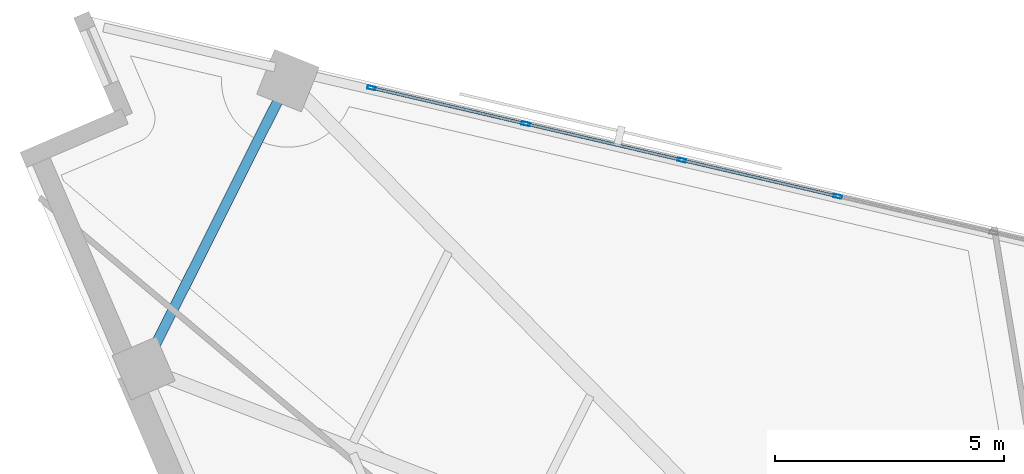
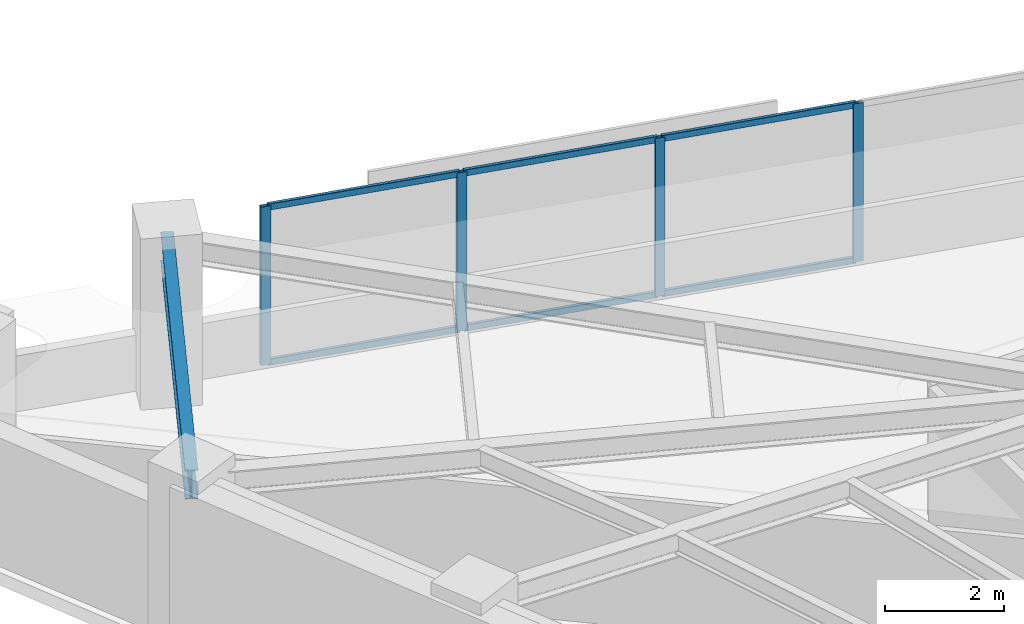
# One storey, part 6 of 14: 10 members, 1 beam, 1 element without a shape of its own.
"""IFC4 building model written with IfcOpenShell, lengths in metres."""

from ifc_helpers import new_model, si_unit, direction, frame, origin, origin_2d, place, context, subcontext, project, spatial, hollow_rectangle, i_section, extrude, material, material_profile, profile_set, type_object, element, aggregate, save


model = new_model("IFC4")

# Units and contexts
model_context = context("Model", 3, precision=1e-05, world=origin(), true_north=direction((0.0, 1.0)))
body_context = subcontext(model_context, "Body", "Model", "MODEL_VIEW")
ifc_project = project(units=[si_unit("LENGTHUNIT", "METRE"), si_unit("AREAUNIT", "SQUARE_METRE"), si_unit("VOLUMEUNIT", "CUBIC_METRE"), si_unit("PLANEANGLEUNIT", "RADIAN"), si_unit("MASSUNIT", "GRAM", prefix="KILO")], contexts=[model_context])

# Site, building, storey
site_placement = place(None, origin())
site = spatial("IfcSite", under=ifc_project, at=site_placement, CompositionType="ELEMENT")
building_placement = place(site_placement, origin())
building = spatial("IfcBuilding", under=site, at=building_placement, Name="Narakoshi Arena Tower", CompositionType="ELEMENT")
storey_placement = place(building_placement, frame((0.0, 0.0, 182.6201171875)))
storey = spatial("IfcBuildingStorey", under=building, at=storey_placement, Name="L49", CompositionType="ELEMENT", Elevation=182.6201171875)

# Beam
ifc_material_1 = material(Name="Structural steel S355J2", Category="steel")
ifc_material_profile_1 = material_profile(ifc_material_1, i_section(OverallWidth=0.219970703125, OverallDepth=0.60009765625, WebThickness=0.011962890625, FlangeThickness=0.01904296875, FilletRadius=0.02392578125, at=origin_2d()), Name="IPE600")
ifc_profile_set_1 = profile_set([ifc_material_profile_1], Name="Structural steel S355J2")
beam_type = type_object("IfcBeamType", Name="BM-EDGE-600", PredefinedType="BEAM", material=ifc_profile_set_1)
beam_placement = place(storey_placement, frame((60.12158203125, 68.55126953125, 2.9599609375), z_axis=(-0.448312643015, -0.893876822674, 0.0), x_axis=(0.893876822674, -0.448312643015, 0.0)))
element("IfcBeam", 1, at=beam_placement, inside=storey, type_object=beam_type, Name="L49 Perimeter Edge Girder 07", PredefinedType="BEAM", context=body_context, shape_type="SweptSolid", body=[
    extrude(i_section(OverallWidth=0.219970703125, OverallDepth=0.60009765625, WebThickness=0.011962890625, FlangeThickness=0.01904296875, FilletRadius=0.02392578125, at=origin_2d()), origin(), (0.0, 0.0, 1.0), 7.017333984375),
])

# Curtain wall, members
ifc_material_2 = material(Name="Anodised bronze aluminium 6063-T6", Category="aluminium")
curtain_wall_type = type_object("IfcCurtainWallType", Name="CW-HYP-MID", PredefinedType="NOTDEFINED", material=ifc_material_2)
curtain_wall_placement = place(storey_placement, origin())
curtain_wall = element("IfcCurtainWall", 2, at=curtain_wall_placement, inside=storey, type_object=curtain_wall_type, Name="L49 Folded Hypotenuse Curtain Wall 2-1", PredefinedType="NOTDEFINED")
ifc_material_profile_2 = material_profile(ifc_material_2, hollow_rectangle(XDim=0.074951171875, YDim=0.179931640625, WallThickness=0.00390625, OuterFilletRadius=0.0048828125, at=origin_2d()), Name="MUL180x75x4")
ifc_profile_set_2 = profile_set([ifc_material_profile_2], Name="Anodised bronze aluminium 6063-T6")
member_type_1 = type_object("IfcMemberType", Name="MEM-MUL-180", PredefinedType="MULLION", material=ifc_profile_set_2)
member_1_placement = place(storey_placement, frame((72.109619140625, 66.027587890625, 0.0), z_axis=(0.0, 0.0, 1.0), x_axis=(-0.226721182724, -0.973959704148, 0.0)))
member_1 = element("IfcMember", 3, at=member_1_placement, type_object=member_type_1, Name="CW-02 mullion 5", PredefinedType="MULLION", context=body_context, shape_type="SweptSolid", body=[
    extrude(hollow_rectangle(XDim=0.074951171875, YDim=0.179931640625, WallThickness=0.00390625, OuterFilletRadius=0.0048828125, at=origin_2d()), origin(), (0.0, 0.0, 1.0), 3.259765625),
])
member_2_placement = place(storey_placement, frame((68.708740234375, 66.8193359375, 0.0), z_axis=(0.0, 0.0, 1.0), x_axis=(-0.226721182724, -0.973959704148, 0.0)))
member_2 = element("IfcMember", 4, at=member_2_placement, type_object=member_type_1, Name="CW-02 mullion 6", PredefinedType="MULLION", context=body_context, shape_type="SweptSolid", body=[
    extrude(hollow_rectangle(XDim=0.074951171875, YDim=0.179931640625, WallThickness=0.00390625, OuterFilletRadius=0.0048828125, at=origin_2d()), origin(), (0.0, 0.0, 1.0), 3.259765625),
])
member_3_placement = place(storey_placement, frame((65.307861328125, 67.611083984375, 0.0), z_axis=(0.0, 0.0, 1.0), x_axis=(-0.226721182724, -0.973959704148, 0.0)))
member_3 = element("IfcMember", 5, at=member_3_placement, type_object=member_type_1, Name="CW-02 mullion 7", PredefinedType="MULLION", context=body_context, shape_type="SweptSolid", body=[
    extrude(hollow_rectangle(XDim=0.074951171875, YDim=0.179931640625, WallThickness=0.00390625, OuterFilletRadius=0.0048828125, at=origin_2d()), origin(), (0.0, 0.0, 1.0), 3.259765625),
])
member_4_placement = place(storey_placement, frame((61.943359375, 68.394287109375, 0.0), z_axis=(0.0, 0.0, 1.0), x_axis=(-0.226721182724, -0.973959704148, 0.0)))
member_4 = element("IfcMember", 6, at=member_4_placement, type_object=member_type_1, Name="CW-02 mullion 8", PredefinedType="MULLION", context=body_context, shape_type="SweptSolid", body=[
    extrude(hollow_rectangle(XDim=0.074951171875, YDim=0.179931640625, WallThickness=0.00390625, OuterFilletRadius=0.0048828125, at=origin_2d()), origin(), (0.0, 0.0, 1.0), 3.259765625),
])
ifc_material_profile_3 = material_profile(ifc_material_2, hollow_rectangle(XDim=0.06494140625, YDim=0.1298828125, WallThickness=0.00390625, OuterFilletRadius=0.0048828125, at=origin_2d()), Name="TRN130x65x4")
ifc_profile_set_3 = profile_set([ifc_material_profile_3], Name="Anodised bronze aluminium 6063-T6")
member_type_2 = type_object("IfcMemberType", Name="MEM-TRN-130", PredefinedType="USERDEFINED", material=ifc_profile_set_3)
member_5_placement = place(storey_placement, frame((72.072998046875, 66.0361328125, 0.032470703125), z_axis=(-0.973960713384, 0.226716847155, 0.0), x_axis=(-0.226716847155, -0.973960713384, 0.0)))
member_5 = element("IfcMember", 7, at=member_5_placement, type_object=member_type_2, Name="CW-02 transom 5.1", ObjectType="TRANSOM", PredefinedType="USERDEFINED", context=body_context, shape_type="SweptSolid", body=[
    extrude(hollow_rectangle(XDim=0.06494140625, YDim=0.1298828125, WallThickness=0.00390625, OuterFilletRadius=0.0048828125, at=origin_2d()), origin(), (0.0, 0.0, 1.0), 3.416748046875),
])
member_6_placement = place(storey_placement, frame((72.072998046875, 66.0361328125, 3.227294921875), z_axis=(-0.973960713384, 0.226716847155, 0.0), x_axis=(-0.226716847155, -0.973960713384, 0.0)))
member_6 = element("IfcMember", 8, at=member_6_placement, type_object=member_type_2, Name="CW-02 transom 5.2", ObjectType="TRANSOM", PredefinedType="USERDEFINED", context=body_context, shape_type="SweptSolid", body=[
    extrude(hollow_rectangle(XDim=0.06494140625, YDim=0.1298828125, WallThickness=0.00390625, OuterFilletRadius=0.0048828125, at=origin_2d()), origin(), (0.0, 0.0, 1.0), 3.416748046875),
])
member_7_placement = place(storey_placement, frame((68.672119140625, 66.827880859375, 0.032470703125), z_axis=(-0.973960713384, 0.226716847155, 0.0), x_axis=(-0.226716847155, -0.973960713384, 0.0)))
member_7 = element("IfcMember", 9, at=member_7_placement, type_object=member_type_2, Name="CW-02 transom 6.1", ObjectType="TRANSOM", PredefinedType="USERDEFINED", context=body_context, shape_type="SweptSolid", body=[
    extrude(hollow_rectangle(XDim=0.06494140625, YDim=0.1298828125, WallThickness=0.00390625, OuterFilletRadius=0.0048828125, at=origin_2d()), origin(), (0.0, 0.0, 1.0), 3.416748046875),
])
member_8_placement = place(storey_placement, frame((68.672119140625, 66.827880859375, 3.227294921875), z_axis=(-0.973960713384, 0.226716847155, 0.0), x_axis=(-0.226716847155, -0.973960713384, 0.0)))
member_8 = element("IfcMember", 10, at=member_8_placement, type_object=member_type_2, Name="CW-02 transom 6.2", ObjectType="TRANSOM", PredefinedType="USERDEFINED", context=body_context, shape_type="SweptSolid", body=[
    extrude(hollow_rectangle(XDim=0.06494140625, YDim=0.1298828125, WallThickness=0.00390625, OuterFilletRadius=0.0048828125, at=origin_2d()), origin(), (0.0, 0.0, 1.0), 3.416748046875),
])
member_9_placement = place(storey_placement, frame((65.271240234375, 67.61962890625, 0.032470703125), z_axis=(-0.97396204172, 0.226711140636, 0.0), x_axis=(-0.226711140636, -0.97396204172, 0.0)))
member_9 = element("IfcMember", 11, at=member_9_placement, type_object=member_type_2, Name="CW-02 transom 7.1", ObjectType="TRANSOM", PredefinedType="USERDEFINED", context=body_context, shape_type="SweptSolid", body=[
    extrude(hollow_rectangle(XDim=0.06494140625, YDim=0.1298828125, WallThickness=0.00390625, OuterFilletRadius=0.0048828125, at=origin_2d()), origin(), (0.0, 0.0, 1.0), 3.379150390625),
])
member_10_placement = place(storey_placement, frame((65.271240234375, 67.61962890625, 3.227294921875), z_axis=(-0.97396204172, 0.226711140636, 0.0), x_axis=(-0.226711140636, -0.97396204172, 0.0)))
member_10 = element("IfcMember", 12, at=member_10_placement, type_object=member_type_2, Name="CW-02 transom 7.2", ObjectType="TRANSOM", PredefinedType="USERDEFINED", context=body_context, shape_type="SweptSolid", body=[
    extrude(hollow_rectangle(XDim=0.06494140625, YDim=0.1298828125, WallThickness=0.00390625, OuterFilletRadius=0.0048828125, at=origin_2d()), origin(), (0.0, 0.0, 1.0), 3.379150390625),
])
aggregate(curtain_wall, [member_1, member_2, member_3, member_4, member_5, member_6, member_7, member_8, member_9, member_10])

save(model, "model.ifc")
